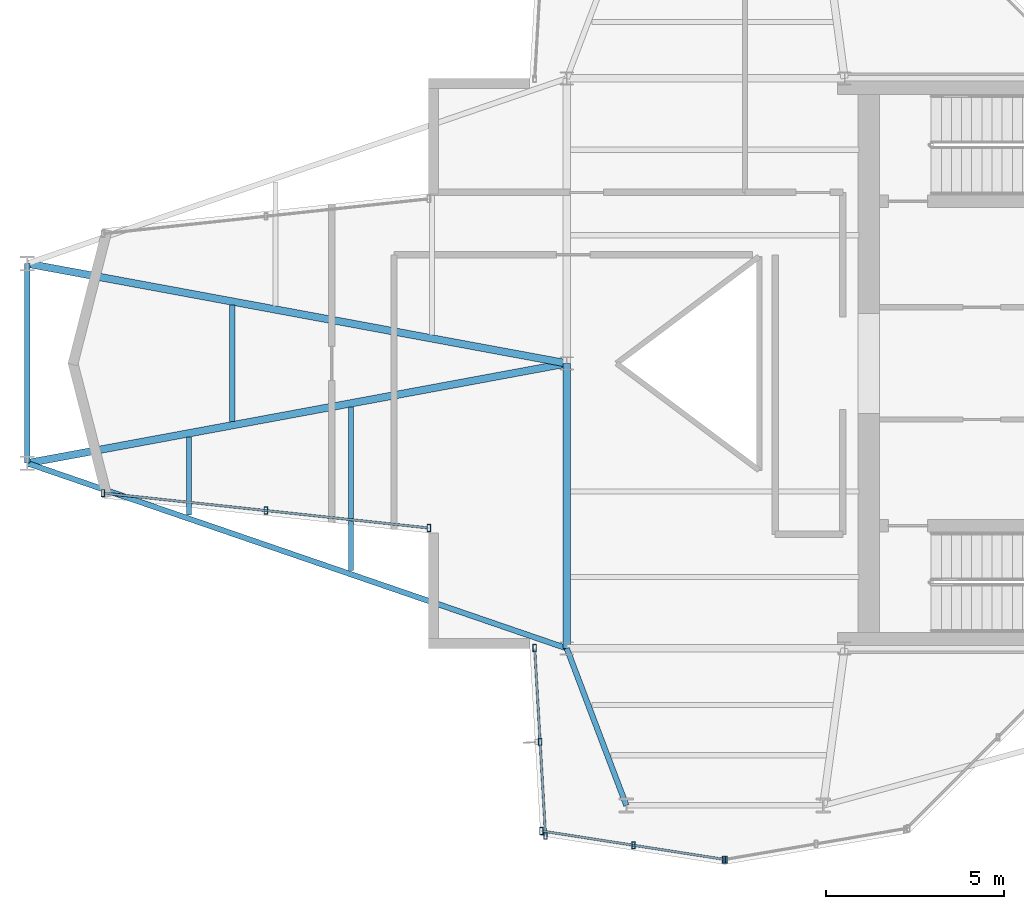
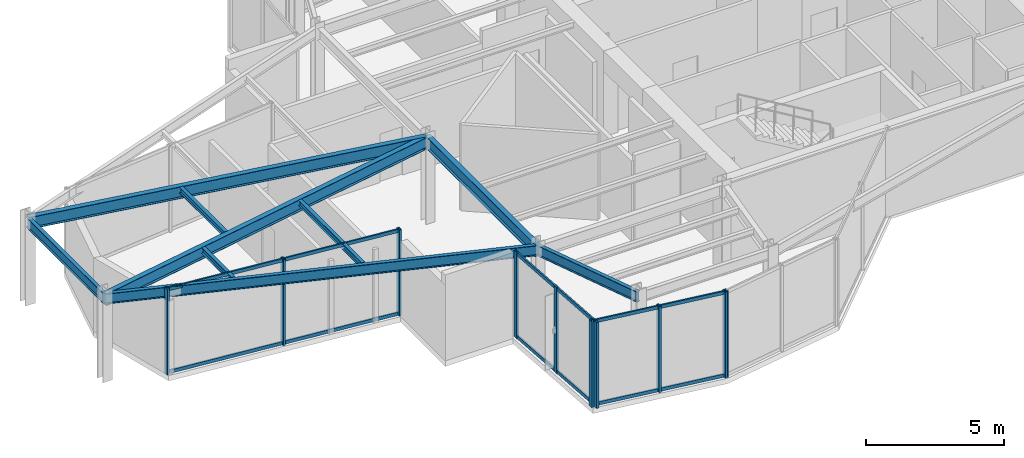
# One storey, part 2 of 13: 16 members, 9 beams, 4 elements without a shape of their own.
"""IFC4 building model written with IfcOpenShell, lengths in metres."""

from ifc_helpers import new_model, si_unit, direction, frame, origin, origin_2d, place, context, subcontext, project, spatial, hollow_rectangle, i_section, extrude, material, layer, layer_set, material_profile, profile_set, type_object, element, aggregate, save


model = new_model("IFC4")

# Units and contexts
model_context = context("Model", 3, precision=1e-05, world=origin(), true_north=direction((0.0, 1.0)))
body_context = subcontext(model_context, "Body", "Model", "MODEL_VIEW")
ifc_project = project(units=[si_unit("LENGTHUNIT", "METRE"), si_unit("AREAUNIT", "SQUARE_METRE"), si_unit("VOLUMEUNIT", "CUBIC_METRE"), si_unit("PLANEANGLEUNIT", "RADIAN"), si_unit("MASSUNIT", "GRAM", prefix="KILO")], contexts=[model_context])

# Site, building, storey
site_placement = place(None, origin())
site = spatial("IfcSite", under=ifc_project, at=site_placement, CompositionType="ELEMENT")
building_placement = place(site_placement, origin())
building = spatial("IfcBuilding", under=site, at=building_placement, Name="Veymaron Broadcast Tower", CompositionType="ELEMENT")
storey_placement = place(building_placement, frame((0.0, 0.0, 307.35009765625)))
storey = spatial("IfcBuildingStorey", under=building, at=storey_placement, Name="L72", CompositionType="ELEMENT", Elevation=307.35009765625)

# Beams
ifc_material_1 = material(Name="Structural steel ASTM A992 Gr 50", Category="steel")
ifc_material_profile_1 = material_profile(ifc_material_1, i_section(OverallWidth=0.208984375, OverallDepth=0.528076171875, WebThickness=0.009521484375, FlangeThickness=0.01318359375, at=origin_2d()), Name="W530X82")
ifc_profile_set_1 = profile_set([ifc_material_profile_1], Name="Structural steel ASTM A992 Gr 50")
beam_type_1 = type_object("IfcBeamType", Name="BM-FG4", PredefinedType="BEAM", material=ifc_profile_set_1)
beam_1_placement = place(storey_placement, frame((31.199951171875, 16.0, 3.5458984375), z_axis=(0.0, 1.0, 0.0), x_axis=(-1.0, 0.0, 0.0)))
element("IfcBeam", 1, at=beam_1_placement, inside=storey, type_object=beam_type_1, Name="L72 primary structural floor girder", PredefinedType="BEAM", context=body_context, shape_type="SweptSolid", body=[
    extrude(i_section(OverallWidth=0.208984375, OverallDepth=0.528076171875, WebThickness=0.009521484375, FlangeThickness=0.01318359375, at=origin_2d()), origin(), (0.0, 0.0, 1.0), 8.0),
])
for number, where, z_axis, x_axis, name in (
    (2, (16.052490234375, 21.197998046875, 3.5458984375), (0.98331782422, 0.181895729943, 0.0), (-0.181895729943, 0.98331782422, 0.0), "L72 primary structural floor girder"),
    (3, (16.052490234375, 26.802001953125, 3.5458984375), (0.98331782422, -0.181895729943, 0.0), (0.181895729943, 0.98331782422, 0.0), "L72 primary structural floor girder"),
):
    element("IfcBeam", number, at=place(storey_placement, frame(where, z_axis=z_axis, x_axis=x_axis)), inside=storey, type_object=beam_type_1, Name=name, PredefinedType="BEAM", context=body_context, shape_type="SweptSolid", body=[
        extrude(i_section(OverallWidth=0.208984375, OverallDepth=0.528076171875, WebThickness=0.009521484375, FlangeThickness=0.01318359375, at=origin_2d()), origin(), (0.0, 0.0, 1.0), 15.404541015625),
    ])
ifc_material_profile_2 = material_profile(ifc_material_1, i_section(OverallWidth=0.14599609375, OverallDepth=0.258056640625, WebThickness=0.006103515625, FlangeThickness=0.009033203125, at=origin_2d()), Name="W250X33")
ifc_profile_set_2 = profile_set([ifc_material_profile_2], Name="Structural steel ASTM A992 Gr 50")
beam_type_2 = type_object("IfcBeamType", Name="BM-JS4", PredefinedType="JOIST", material=ifc_profile_set_2)
beam_2_placement = place(storey_placement, frame((20.5966796875, 19.738525390625, 3.680908203125), z_axis=(0.0, 1.0, 0.0), x_axis=(-1.0, 0.0, 0.0)))
element("IfcBeam", 4, at=beam_2_placement, inside=storey, type_object=beam_type_2, Name="L72 Arm-A secondary joist 1S", PredefinedType="JOIST", context=body_context, shape_type="SweptSolid", body=[
    extrude(i_section(OverallWidth=0.14599609375, OverallDepth=0.258056640625, WebThickness=0.006103515625, FlangeThickness=0.009033203125, at=origin_2d()), origin(), (0.0, 0.0, 1.0), 2.2001953125),
])
beam_3_placement = place(storey_placement, frame((21.80859375, 22.36279296875, 3.680908203125), z_axis=(0.0, 1.0, 0.0), x_axis=(-1.0, 0.0, 0.0)))
element("IfcBeam", 5, at=beam_3_placement, inside=storey, type_object=beam_type_2, Name="L72 Arm-A secondary joist 1M", PredefinedType="JOIST", context=body_context, shape_type="SweptSolid", body=[
    extrude(i_section(OverallWidth=0.14599609375, OverallDepth=0.258056640625, WebThickness=0.006103515625, FlangeThickness=0.009033203125, at=origin_2d()), origin(), (0.0, 0.0, 1.0), 3.2744140625),
])
beam_4_placement = place(storey_placement, frame((25.14111328125, 18.17919921875, 3.680908203125), z_axis=(0.0, 1.0, 0.0), x_axis=(-1.0, 0.0, 0.0)))
element("IfcBeam", 6, at=beam_4_placement, inside=storey, type_object=beam_type_2, Name="L72 Arm-A secondary joist 2S", PredefinedType="JOIST", context=body_context, shape_type="SweptSolid", body=[
    extrude(i_section(OverallWidth=0.14599609375, OverallDepth=0.258056640625, WebThickness=0.006103515625, FlangeThickness=0.009033203125, at=origin_2d()), origin(), (0.0, 0.0, 1.0), 4.60009765625),
])
ifc_material_profile_3 = material_profile(ifc_material_1, i_section(OverallWidth=0.154052734375, OverallDepth=0.458984375, WebThickness=0.009033203125, FlangeThickness=0.015380859375, at=origin_2d()), Name="W460X68")
ifc_profile_set_3 = profile_set([ifc_material_profile_3], Name="Structural steel ASTM A992 Gr 50")
beam_type_3 = type_object("IfcBeamType", Name="BM-SP2", PredefinedType="SPANDREL", material=ifc_profile_set_3)
beam_5_placement = place(storey_placement, frame((16.052490234375, 21.197998046875, 3.580322265625), z_axis=(0.94585811637, -0.324580380949, 0.0), x_axis=(0.324580380949, 0.94585811637, 0.0)))
element("IfcBeam", 7, at=beam_5_placement, inside=storey, type_object=beam_type_3, Name="L72 primary structural floor girder", PredefinedType="SPANDREL", context=body_context, shape_type="SweptSolid", body=[
    extrude(i_section(OverallWidth=0.154052734375, OverallDepth=0.458984375, WebThickness=0.009033203125, FlangeThickness=0.015380859375, at=origin_2d()), origin(), (0.0, 0.0, 1.0), 16.014404296875),
])
beam_6_placement = place(storey_placement, frame((16.052490234375, 21.197998046875, 3.580322265625), z_axis=(0.0, 1.0, 0.0), x_axis=(-1.0, 0.0, 0.0)))
element("IfcBeam", 8, at=beam_6_placement, inside=storey, type_object=beam_type_3, Name="L72 primary structural floor girder", PredefinedType="SPANDREL", context=body_context, shape_type="SweptSolid", body=[
    extrude(i_section(OverallWidth=0.154052734375, OverallDepth=0.458984375, WebThickness=0.009033203125, FlangeThickness=0.015380859375, at=origin_2d()), origin(), (0.0, 0.0, 1.0), 5.60400390625),
])
beam_7_placement = place(storey_placement, frame((31.199951171875, 16.0, 3.580322265625), z_axis=(0.354839811516, -0.934927113824, 0.0), x_axis=(0.934927113824, 0.354839811516, 0.0)))
element("IfcBeam", 9, at=beam_7_placement, inside=storey, type_object=beam_type_3, Name="L72 primary structural floor girder", PredefinedType="SPANDREL", context=body_context, shape_type="SweptSolid", body=[
    extrude(i_section(OverallWidth=0.154052734375, OverallDepth=0.458984375, WebThickness=0.009033203125, FlangeThickness=0.015380859375, at=origin_2d()), origin(), (0.0, 0.0, 1.0), 4.71923828125),
])

# Curtain wall, members
ifc_material_2 = material(Name="Anodised aluminium AA 6063-T6 and laminated low-E dark glass", Category="aluminium")
ifc_layer = layer(ifc_material_2, 0.179931640625)
ifc_layer_set = layer_set([ifc_layer], Name="Anodised aluminium AA 6063-T6 and laminated low-E dark glass")
curtain_wall_type = type_object("IfcCurtainWallType", Name="CW-SYS-06", PredefinedType="NOTDEFINED", material=ifc_layer_set)
curtain_wall_1_placement = place(storey_placement, origin())
curtain_wall_1 = element("IfcCurtainWall", 10, at=curtain_wall_1_placement, inside=storey, type_object=curtain_wall_type, Name="L72 dark-glass curtain wall CW-L72-E14-1", PredefinedType="NOTDEFINED")
ifc_material_3 = material(Name="Anodised aluminium AA 6063-T6", Category="aluminium")
ifc_material_profile_4 = material_profile(ifc_material_3, hollow_rectangle(XDim=0.10009765625, YDim=0.199951171875, WallThickness=0.010009765625, at=origin_2d()), Name="RHS200X100X10")
ifc_profile_set_4 = profile_set([ifc_material_profile_4], Name="Anodised aluminium AA 6063-T6")
member_type_1 = type_object("IfcMemberType", Name="CW-MUL-01", PredefinedType="MULLION", material=ifc_profile_set_4)
member_1_placement = place(storey_placement, frame((18.1748046875, 20.35888671875, 0.0), z_axis=(0.0, 0.0, 1.0), x_axis=(1.0, 0.0, 0.0)))
member_1 = element("IfcMember", 11, at=member_1_placement, type_object=member_type_1, Name="CW-L72-E14-1 mullion 0", PredefinedType="MULLION", context=body_context, shape_type="SweptSolid", body=[
    extrude(hollow_rectangle(XDim=0.10009765625, YDim=0.199951171875, WallThickness=0.010009765625, at=origin_2d()), origin(), (0.0, 0.0, 1.0), 3.809814453125),
])
member_2_placement = place(storey_placement, frame((22.751708984375, 19.869140625, 0.0), z_axis=(0.0, 0.0, 1.0), x_axis=(1.0, 0.0, 0.0)))
member_2 = element("IfcMember", 12, at=member_2_placement, type_object=member_type_1, Name="CW-L72-E14-1 mullion 1", PredefinedType="MULLION", context=body_context, shape_type="SweptSolid", body=[
    extrude(hollow_rectangle(XDim=0.10009765625, YDim=0.199951171875, WallThickness=0.010009765625, at=origin_2d()), origin(), (0.0, 0.0, 1.0), 3.809814453125),
])
member_3_placement = place(storey_placement, frame((27.32861328125, 19.37939453125, 0.0), z_axis=(0.0, 0.0, 1.0), x_axis=(1.0, 0.0, 0.0)))
member_3 = element("IfcMember", 13, at=member_3_placement, type_object=member_type_1, Name="CW-L72-E14-1 mullion 2", PredefinedType="MULLION", context=body_context, shape_type="SweptSolid", body=[
    extrude(hollow_rectangle(XDim=0.10009765625, YDim=0.199951171875, WallThickness=0.010009765625, at=origin_2d()), origin(), (0.0, 0.0, 1.0), 3.809814453125),
])

curtain_wall_2_placement = place(storey_placement, origin())
curtain_wall_2 = element("IfcCurtainWall", 14, at=curtain_wall_2_placement, inside=storey, type_object=curtain_wall_type, Name="L72 dark-glass curtain wall CW-L72-E17-1", PredefinedType="NOTDEFINED")
member_4_placement = place(storey_placement, frame((30.2998046875, 16.008056640625, 0.0), z_axis=(0.0, 0.0, 1.0), x_axis=(1.0, 0.0, 0.0)))
member_4 = element("IfcMember", 15, at=member_4_placement, type_object=member_type_1, Name="CW-L72-E17-1 mullion 0", PredefinedType="MULLION", context=body_context, shape_type="SweptSolid", body=[
    extrude(hollow_rectangle(XDim=0.10009765625, YDim=0.199951171875, WallThickness=0.010009765625, at=origin_2d()), origin(), (0.0, 0.0, 1.0), 3.809814453125),
])
member_5_placement = place(storey_placement, frame((30.451904296875, 13.37548828125, 0.0), z_axis=(0.0, 0.0, 1.0), x_axis=(1.0, 0.0, 0.0)))
member_5 = element("IfcMember", 16, at=member_5_placement, type_object=member_type_1, Name="CW-L72-E17-1 mullion 1", PredefinedType="MULLION", context=body_context, shape_type="SweptSolid", body=[
    extrude(hollow_rectangle(XDim=0.10009765625, YDim=0.199951171875, WallThickness=0.010009765625, at=origin_2d()), origin(), (0.0, 0.0, 1.0), 3.809814453125),
])
member_6_placement = place(storey_placement, frame((30.60400390625, 10.742919921875, 0.0), z_axis=(0.0, 0.0, 1.0), x_axis=(1.0, 0.0, 0.0)))
member_6 = element("IfcMember", 17, at=member_6_placement, type_object=member_type_1, Name="CW-L72-E17-1 mullion 2", PredefinedType="MULLION", context=body_context, shape_type="SweptSolid", body=[
    extrude(hollow_rectangle(XDim=0.10009765625, YDim=0.199951171875, WallThickness=0.010009765625, at=origin_2d()), origin(), (0.0, 0.0, 1.0), 3.809814453125),
])

curtain_wall_3_placement = place(storey_placement, origin())
curtain_wall_3 = element("IfcCurtainWall", 18, at=curtain_wall_3_placement, inside=storey, type_object=curtain_wall_type, Name="L72 dark-glass curtain wall CW-L72-E18-1", PredefinedType="NOTDEFINED")
member_7_placement = place(storey_placement, frame((30.48583984375, 10.873046875, 0.0), z_axis=(0.0, 0.0, 1.0), x_axis=(1.0, 0.0, 0.0)))
member_7 = element("IfcMember", 19, at=member_7_placement, type_object=member_type_1, Name="CW-L72-E18-1 mullion 0", PredefinedType="MULLION", context=body_context, shape_type="SweptSolid", body=[
    extrude(hollow_rectangle(XDim=0.10009765625, YDim=0.199951171875, WallThickness=0.010009765625, at=origin_2d()), origin(), (0.0, 0.0, 1.0), 3.809814453125),
])
member_8_placement = place(storey_placement, frame((33.072265625, 10.47119140625, 0.0), z_axis=(0.0, 0.0, 1.0), x_axis=(1.0, 0.0, 0.0)))
member_8 = element("IfcMember", 20, at=member_8_placement, type_object=member_type_1, Name="CW-L72-E18-1 mullion 1", PredefinedType="MULLION", context=body_context, shape_type="SweptSolid", body=[
    extrude(hollow_rectangle(XDim=0.10009765625, YDim=0.199951171875, WallThickness=0.010009765625, at=origin_2d()), origin(), (0.0, 0.0, 1.0), 3.809814453125),
])
member_9_placement = place(storey_placement, frame((35.65869140625, 10.069091796875, 0.0), z_axis=(0.0, 0.0, 1.0), x_axis=(1.0, 0.0, 0.0)))
member_9 = element("IfcMember", 21, at=member_9_placement, type_object=member_type_1, Name="CW-L72-E18-1 mullion 2", PredefinedType="MULLION", context=body_context, shape_type="SweptSolid", body=[
    extrude(hollow_rectangle(XDim=0.10009765625, YDim=0.199951171875, WallThickness=0.010009765625, at=origin_2d()), origin(), (0.0, 0.0, 1.0), 3.809814453125),
])

# Curtain wall, member
curtain_wall_4_placement = place(storey_placement, origin())
curtain_wall_4 = element("IfcCurtainWall", 22, at=curtain_wall_4_placement, inside=storey, type_object=curtain_wall_type, Name="L72 dark-glass curtain wall CW-L72-E19-1", PredefinedType="NOTDEFINED")
member_10_placement = place(storey_placement, frame((35.613525390625, 10.06884765625, 0.0), z_axis=(0.0, 0.0, 1.0), x_axis=(1.0, 0.0, 0.0)))
member_10 = element("IfcMember", 23, at=member_10_placement, type_object=member_type_1, Name="CW-L72-E19-1 mullion 0", PredefinedType="MULLION", context=body_context, shape_type="SweptSolid", body=[
    extrude(hollow_rectangle(XDim=0.10009765625, YDim=0.199951171875, WallThickness=0.010009765625, at=origin_2d()), origin(), (0.0, 0.0, 1.0), 3.809814453125),
])
aggregate(curtain_wall_4, [member_10])

# Member
ifc_material_profile_5 = material_profile(ifc_material_3, hollow_rectangle(XDim=0.06494140625, YDim=0.14990234375, WallThickness=0.00390625, at=origin_2d()), Name="AL150X65X4")
ifc_profile_set_5 = profile_set([ifc_material_profile_5], Name="Anodised aluminium AA 6063-T6")
member_type_2 = type_object("IfcMemberType", Name="CW-TRN-01", PredefinedType="USERDEFINED", material=ifc_profile_set_5)
member_11_placement = place(storey_placement, frame((18.224609375, 20.353759765625, 0.06982421875), z_axis=(0.994319089673, -0.106440349081, 0.0), x_axis=(0.106440349081, 0.994319089673, 0.0)))
member_11 = element("IfcMember", 24, at=member_11_placement, type_object=member_type_2, Name="CW-L72-E14-1 transom B", ObjectType="TRANSOM", PredefinedType="USERDEFINED", context=body_context, shape_type="SweptSolid", body=[
    extrude(hollow_rectangle(XDim=0.06494140625, YDim=0.14990234375, WallThickness=0.00390625, at=origin_2d()), origin(), (0.0, 0.0, 1.0), 9.10595703125),
])

member_12_placement = place(storey_placement, frame((18.224609375, 20.353759765625, 3.739990234375), z_axis=(0.994319089673, -0.106440349081, 0.0), x_axis=(0.106440349081, 0.994319089673, 0.0)))
member_12 = element("IfcMember", 25, at=member_12_placement, type_object=member_type_2, Name="CW-L72-E14-1 transom T", ObjectType="TRANSOM", PredefinedType="USERDEFINED", context=body_context, shape_type="SweptSolid", body=[
    extrude(hollow_rectangle(XDim=0.06494140625, YDim=0.14990234375, WallThickness=0.00390625, at=origin_2d()), origin(), (0.0, 0.0, 1.0), 9.10595703125),
])

aggregate(curtain_wall_1, [member_1, member_2, member_3, member_11, member_12])

member_13_placement = place(storey_placement, frame((30.302490234375, 15.958251953125, 0.06982421875), z_axis=(0.0577538974, -0.998330850638, 0.0), x_axis=(0.998330850638, 0.0577538974, 0.0)))
member_13 = element("IfcMember", 26, at=member_13_placement, type_object=member_type_2, Name="CW-L72-E17-1 transom B", ObjectType="TRANSOM", PredefinedType="USERDEFINED", context=body_context, shape_type="SweptSolid", body=[
    extrude(hollow_rectangle(XDim=0.06494140625, YDim=0.14990234375, WallThickness=0.00390625, at=origin_2d()), origin(), (0.0, 0.0, 1.0), 5.174072265625),
])

member_14_placement = place(storey_placement, frame((30.302490234375, 15.958251953125, 3.739990234375), z_axis=(0.0577538974, -0.998330850638, 0.0), x_axis=(0.998330850638, 0.0577538974, 0.0)))
member_14 = element("IfcMember", 27, at=member_14_placement, type_object=member_type_2, Name="CW-L72-E17-1 transom T", ObjectType="TRANSOM", PredefinedType="USERDEFINED", context=body_context, shape_type="SweptSolid", body=[
    extrude(hollow_rectangle(XDim=0.06494140625, YDim=0.14990234375, WallThickness=0.00390625, at=origin_2d()), origin(), (0.0, 0.0, 1.0), 5.174072265625),
])

aggregate(curtain_wall_2, [member_4, member_5, member_6, member_13, member_14])

member_15_placement = place(storey_placement, frame((30.53515625, 10.865478515625, 0.06982421875), z_axis=(0.988138602753, -0.153564650062, 0.0), x_axis=(0.153564650062, 0.988138602753, 0.0)))
member_15 = element("IfcMember", 28, at=member_15_placement, type_object=member_type_2, Name="CW-L72-E18-1 transom B", ObjectType="TRANSOM", PredefinedType="USERDEFINED", context=body_context, shape_type="SweptSolid", body=[
    extrude(hollow_rectangle(XDim=0.06494140625, YDim=0.14990234375, WallThickness=0.00390625, at=origin_2d()), origin(), (0.0, 0.0, 1.0), 5.135009765625),
])

member_16_placement = place(storey_placement, frame((30.53515625, 10.865478515625, 3.739990234375), z_axis=(0.988138602753, -0.153564650062, 0.0), x_axis=(0.153564650062, 0.988138602753, 0.0)))
member_16 = element("IfcMember", 29, at=member_16_placement, type_object=member_type_2, Name="CW-L72-E18-1 transom T", ObjectType="TRANSOM", PredefinedType="USERDEFINED", context=body_context, shape_type="SweptSolid", body=[
    extrude(hollow_rectangle(XDim=0.06494140625, YDim=0.14990234375, WallThickness=0.00390625, at=origin_2d()), origin(), (0.0, 0.0, 1.0), 5.135009765625),
])

aggregate(curtain_wall_3, [member_7, member_8, member_9, member_15, member_16])

save(model, "model.ifc")
